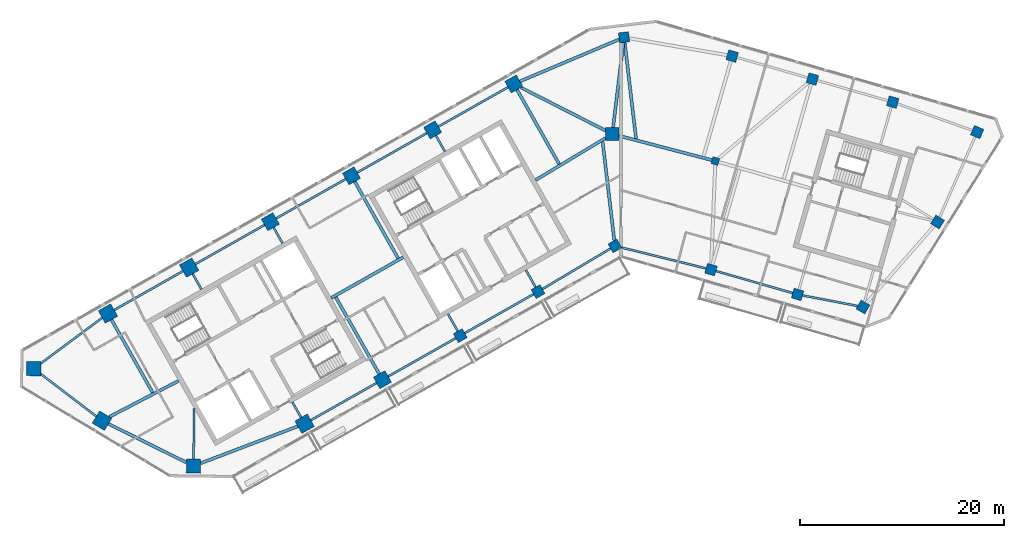
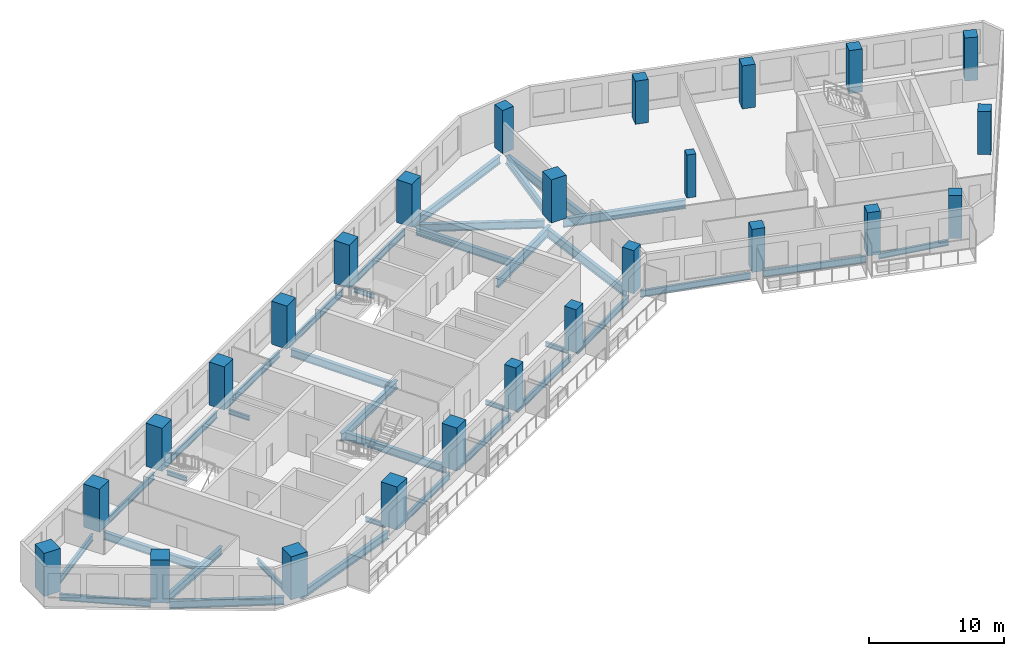
# One storey, part 1 of 12: 36 beams, 25 columns.
"""IFC4 building model written with IfcOpenShell, lengths in metres."""

import ifcopenshell
import ifcopenshell.guid

model = None  # the IFC model being written
_history = None  # IfcOwnerHistory: only IFC2X3 demands one
_inside = {}  # id of a spatial element -> (the spatial element, [elements in it])
_under = {}  # id of a project, library or spatial element -> (it, [spatial elements below it])
_declared = {}  # id of a project -> (the project, [libraries it declares])
_typed = {}  # id of a type object -> (the type object, [elements of that type])
_made_of = {}  # id of a material, layer set ... -> (it, [elements and type objects made of it])


def new_model(schema):
    """Start an empty IFC model of exactly this schema.

    Asked for "IFC4X3", IfcOpenShell would pick the latest addendum, in which some entities
    have other attributes; the version numbers below select the first issue.
    IFC2X3 requires an IfcOwnerHistory on every rooted entity: one is made here for all.
    """
    global model, _history
    if schema == "IFC4X3":
        model = ifcopenshell.file(schema_version=(4, 3, 0, 0))
    else:
        model = ifcopenshell.file(schema=schema)
    _inside.clear()
    _under.clear()
    _declared.clear()
    _typed.clear()
    _made_of.clear()
    _history = None
    if model.schema == "IFC2X3":
        org = make("IfcOrganization", Name="unknown")
        user = make(
            "IfcPersonAndOrganization",
            ThePerson=make("IfcPerson", FamilyName="unknown"),
            TheOrganization=org,
        )
        app = make(
            "IfcApplication",
            ApplicationDeveloper=org,
            Version="unknown",
            ApplicationFullName="unknown",
            ApplicationIdentifier="unknown",
        )
        _history = make(
            "IfcOwnerHistory",
            OwningUser=user,
            OwningApplication=app,
            ChangeAction="ADDED",
            CreationDate=0,
        )
    return model


def make(cls, **values):
    """One entity of the class cls with the attributes given. An attribute that is None is left unset."""
    return model.create_entity(
        cls, **{name: value for name, value in values.items() if value is not None}
    )


def rooted(cls, **values):
    """An entity with a GlobalId (a new one), such as an element, a storey or a relation."""
    return make(cls, GlobalId=ifcopenshell.guid.new(), OwnerHistory=_history, **values)


def si_unit(unit_type, name, prefix=None):
    """IfcSIUnit, for example si_unit("LENGTHUNIT", "METRE", prefix="MILLI")."""
    return make("IfcSIUnit", UnitType=unit_type, Prefix=prefix, Name=name)


def assignment(units):
    """IfcUnitAssignment: the units of a project."""
    return None if units is None else make("IfcUnitAssignment", Units=units)


def point(xyz):
    """IfcCartesianPoint."""
    return None if xyz is None else make("IfcCartesianPoint", Coordinates=xyz)


def direction(xyz):
    """IfcDirection."""
    return None if xyz is None else make("IfcDirection", DirectionRatios=xyz)


def frame(location, z_axis=None, x_axis=None):
    """IfcAxis2Placement3D, a coordinate frame: its origin and axes. An axis left out is left unset."""
    return make(
        "IfcAxis2Placement3D",
        Location=point(location),
        Axis=direction(z_axis),
        RefDirection=direction(x_axis),
    )


def frame_2d(location, x_axis=None):
    """IfcAxis2Placement2D, a coordinate frame in the plane: its origin and x axis."""
    return make(
        "IfcAxis2Placement2D", Location=point(location), RefDirection=direction(x_axis)
    )


def origin():
    """The frame at (0, 0, 0) with its axes left unset."""
    return frame((0.0, 0.0, 0.0))


def origin_2d():
    """The frame at (0, 0) in the plane with its x axis left unset."""
    return frame_2d((0.0, 0.0))


def place(relative_to, where):
    """IfcLocalPlacement: puts the frame where relative to a parent placement (None: the world)."""
    return make(
        "IfcLocalPlacement", PlacementRelTo=relative_to, RelativePlacement=where
    )


def context(
    kind, dimensions, precision=None, world=None, true_north=None, identifier=None
):
    """IfcGeometricRepresentationContext, for example the 3D "Model" context."""
    return make(
        "IfcGeometricRepresentationContext",
        ContextIdentifier=identifier,
        ContextType=kind,
        CoordinateSpaceDimension=dimensions,
        Precision=precision,
        WorldCoordinateSystem=world,
        TrueNorth=true_north,
    )


def subcontext(parent, identifier, kind, view, scale=None):
    """IfcGeometricRepresentationSubContext, for example "Body" below "Model"."""
    return make(
        "IfcGeometricRepresentationSubContext",
        ContextIdentifier=identifier,
        ContextType=kind,
        ParentContext=parent,
        TargetScale=scale,
        TargetView=view,
    )


def project(units=None, contexts=None):
    """IfcProject with its units and contexts."""
    return rooted(
        "IfcProject",
        Name="project",
        RepresentationContexts=contexts,
        UnitsInContext=assignment(units),
    )


def spatial(cls, under=None, at=None, **own):
    """A site, building, storey or space (cls), placed at a placement, below another one or the project."""
    s = rooted(cls, ObjectPlacement=at, **own)
    if under is not None:
        _under.setdefault(under.id(), (under, []))[1].append(s)
    return s


def profile(cls, at=None, kind="AREA", **sizes):
    """A parametric profile (cls). Its sizes go by their IFC names, for example OverallWidth=200.0."""
    return make(cls, ProfileType=kind, Position=at, **sizes)


def rectangle(**sizes):
    """IfcRectangleProfileDef."""
    return profile("IfcRectangleProfileDef", **sizes)


def i_section(**sizes):
    """IfcIShapeProfileDef."""
    return profile("IfcIShapeProfileDef", **sizes)


def extrude(swept, where, along, depth):
    """IfcExtrudedAreaSolid: the profile swept, set in the frame where, extruded along a direction by depth."""
    return make(
        "IfcExtrudedAreaSolid",
        SweptArea=swept,
        Position=where,
        ExtrudedDirection=direction(along),
        Depth=depth,
    )


def shape(context_of_items, identifier, shape_type, items):
    """IfcShapeRepresentation: the items that make up one representation, for example the "Body"."""
    return make(
        "IfcShapeRepresentation",
        ContextOfItems=context_of_items,
        RepresentationIdentifier=identifier,
        RepresentationType=shape_type,
        Items=items,
    )


def material(Name=None, Category=None):
    """IfcMaterial."""
    return make("IfcMaterial", Name=Name, Category=Category)


def material_profile(
    of_material, cross_section, Name=None, Category=None, Priority=None
):
    """IfcMaterialProfile: a cross section and its material."""
    return make(
        "IfcMaterialProfile",
        Name=Name,
        Material=of_material,
        Profile=cross_section,
        Priority=Priority,
        Category=Category,
    )


def profile_set(profiles, Name=None, composite=None):
    """IfcMaterialProfileSet."""
    return make(
        "IfcMaterialProfileSet",
        Name=Name,
        MaterialProfiles=profiles,
        CompositeProfile=composite,
    )


def made_of(thing, what):
    """Note that an element or type object is made of a material, layer set ...; save() writes the relation."""
    if what is not None:
        _made_of.setdefault(what.id(), (what, []))[1].append(thing)
    return thing


def type_object(cls, material=None, **own):
    """A type object (cls), such as IfcWallType, which elements share."""
    return made_of(rooted(cls, **own), material)


def element(
    cls,
    number,
    at=None,
    inside=None,
    cuts=None,
    type_object=None,
    material=None,
    context=None,
    identifier="Body",
    shape_type=None,
    held_by="IfcProductDefinitionShape",
    body=None,
    shapes=None,
    **own,
):
    """One element of the class cls, such as IfcWall. Its Tag is "e" and its number.

    at: its placement. inside: the storey or other place that contains it. cuts: it is an
    opening in that element (IfcRelVoidsElement). A single representation is given by context,
    identifier, shape_type and body (its items); several are given by shapes. held_by: the class
    of the entity that holds the representations. save() writes the other relations.
    """
    e = rooted(cls, Tag="e%d" % number, ObjectPlacement=at, **own)
    if body is not None:
        shapes = [shape(context, identifier, shape_type, body)]
    if shapes is not None:
        e.Representation = make(held_by, Representations=shapes)
    if inside is not None:
        _inside.setdefault(inside.id(), (inside, []))[1].append(e)
    if cuts is not None:
        rooted(
            "IfcRelVoidsElement", RelatingBuildingElement=cuts, RelatedOpeningElement=e
        )
    if type_object is not None:
        _typed.setdefault(type_object.id(), (type_object, []))[1].append(e)
    return made_of(e, material)


def aggregate(whole, parts):
    """IfcRelAggregates: a whole, such as a stair, and the parts it consists of."""
    return rooted("IfcRelAggregates", RelatingObject=whole, RelatedObjects=parts)


def save(model, path):
    """Write the relations noted so far, then the file.

    IfcRelAggregates (storeys below a building ...), IfcRelContainedInSpatialStructure (elements
    in a storey), IfcRelDefinesByType, IfcRelAssociatesMaterial and IfcRelDeclares: one each for
    every whole, place, type object, material and project.
    """
    for whole, parts in _under.values():
        aggregate(whole, parts)
    for where, things in _inside.values():
        rooted(
            "IfcRelContainedInSpatialStructure",
            RelatedElements=things,
            RelatingStructure=where,
        )
    for kind, things in _typed.values():
        rooted("IfcRelDefinesByType", RelatedObjects=things, RelatingType=kind)
    for what, things in _made_of.values():
        rooted("IfcRelAssociatesMaterial", RelatedObjects=things, RelatingMaterial=what)
    for by, libraries in _declared.values():
        rooted("IfcRelDeclares", RelatingContext=by, RelatedDefinitions=libraries)
    model.write(path)


model = new_model("IFC4")

# Units and contexts
model_context = context("Model", 3, precision=1e-05, world=origin(), true_north=direction((0.0, 1.0)))
body_context = subcontext(model_context, "Body", "Model", "MODEL_VIEW")
ifc_project = project(units=[si_unit("LENGTHUNIT", "METRE"), si_unit("AREAUNIT", "SQUARE_METRE"), si_unit("VOLUMEUNIT", "CUBIC_METRE"), si_unit("PLANEANGLEUNIT", "RADIAN"), si_unit("MASSUNIT", "GRAM", prefix="KILO")], contexts=[model_context])

# Site, building, storey
site_placement = place(None, origin())
site = spatial("IfcSite", under=ifc_project, at=site_placement, CompositionType="ELEMENT")
building_placement = place(site_placement, origin())
building = spatial("IfcBuilding", under=site, at=building_placement, Name="Binnacle Exchange Tower", CompositionType="ELEMENT")
storey_placement = place(building_placement, frame((0.0, 0.0, 242.60009765625)))
storey = spatial("IfcBuildingStorey", under=building, at=storey_placement, Name="L53", CompositionType="ELEMENT", Elevation=242.60009765625)

# Columns
ifc_material_1 = material(Name="Concrete C60/75", Category="concrete")
ifc_material_profile_1 = material_profile(ifc_material_1, rectangle(XDim=0.699951171875, YDim=0.699951171875, at=origin_2d()), Name="Column 700x700 C60/75")
ifc_profile_set_1 = profile_set([ifc_material_profile_1], Name="Concrete C60/75")
column_type_1 = type_object("IfcColumnType", Name="Column 700x700 C60/75", PredefinedType="COLUMN", material=ifc_profile_set_1)
column_placement = place(storey_placement, frame((9.240966796875, 57.35009765625, 0.0), z_axis=(0.0, 0.0, 1.0), x_axis=(0.961261695938, -0.275637355817, 0.0)))
element("IfcColumn", 1, at=column_placement, inside=storey, type_object=column_type_1, Name="S:COL:C19:L53", PredefinedType="COLUMN", context=body_context, shape_type="SweptSolid", body=[
    extrude(rectangle(XDim=0.699951171875, YDim=0.699951171875, at=origin_2d()), origin(), (0.0, 0.0, 1.0), 3.89990234375),
])
ifc_material_profile_2 = material_profile(ifc_material_1, rectangle(XDim=1.0, YDim=1.0, at=origin_2d()), Name="Mega column 1000x1000 C60/75")
ifc_profile_set_2 = profile_set([ifc_material_profile_2], Name="Concrete C60/75")
column_type_2 = type_object("IfcColumnType", Name="Mega column 1000x1000 C60/75", PredefinedType="COLUMN", material=ifc_profile_set_2)
for number, where, z_axis, x_axis, name in (
    (2, (26.602783203125, 63.12353515625, 0.0), (0.0, 0.0, 1.0), (-0.961261695938, 0.275637355817, 0.0), "S:COL:MC52:L53"),
    (3, (18.746337890625, 65.376220703125, 0.0), (0.0, 0.0, 1.0), (-0.961261695938, 0.275637355817, 0.0), "S:COL:MC50:L53"),
    (4, (10.889892578125, 67.62890625, 0.0), (0.0, 0.0, 1.0), (-0.961261695938, 0.275637355817, 0.0), "S:COL:MC48:L53"),
    (5, (0.300048828125, 69.464111328125, 0.0), (0.0, 0.0, 1.0), (-0.993068456955, -0.117537397458, 0.0), "S:COL:MC47:L53"),
    (6, (-15.736328125, 40.257080078125, 0.0), (0.0, 0.0, 1.0), (0.87035569594, 0.492423560103, 0.0), "S:COL:MC24:L53"),
    (7, (-8.116943359375, 44.568115234375, 0.0), (0.0, 0.0, 1.0), (0.87035569594, 0.492423560103, 0.0), "S:COL:MC35:L53"),
    (8, (-0.5908203125, 49.04443359375, 0.0), (0.0, 0.0, 1.0), (0.87035569594, 0.492423560103, 0.0), "S:COL:MC46:L53"),
    (9, (8.8095703125, 46.722412109375, 0.0), (0.0, 0.0, 1.0), (0.961261695938, -0.275637355817, 0.0), "S:COL:MC49:L53"),
    (10, (17.2880859375, 44.291015625, 0.0), (0.0, 0.0, 1.0), (0.961261695938, -0.275637355817, 0.0), "S:COL:MC51:L53"),
    (11, (23.690185546875, 43.062744140625, 0.0), (0.0, 0.0, 1.0), (-0.86532642813, 0.501208711795, 0.0), "S:COL:MC53:L53"),
    (12, (30.989501953125, 51.38623046875, 0.0), (0.0, 0.0, 1.0), (0.529919264233, 0.848048096156, 0.0), "S:COL:MC55:L53"),
    (13, (34.870361328125, 60.18701171875, 0.0), (0.0, 0.0, 1.0), (-0.922814001807, 0.385245789164, 0.0), "S:COL:MC54:L53"),
):
    element("IfcColumn", number, at=place(storey_placement, frame(where, z_axis=z_axis, x_axis=x_axis)), inside=storey, type_object=column_type_2, Name=name, PredefinedType="COLUMN", context=body_context, shape_type="SweptSolid", body=[
        extrude(rectangle(XDim=1.0, YDim=1.0, at=origin_2d()), origin(), (0.0, 0.0, 1.0), 3.89990234375),
    ])
ifc_material_profile_3 = material_profile(ifc_material_1, rectangle(XDim=1.300048828125, YDim=1.300048828125, at=origin_2d()), Name="Mega column 1300x1300 C60/75")
ifc_profile_set_3 = profile_set([ifc_material_profile_3], Name="Concrete C60/75")
column_type_3 = type_object("IfcColumnType", Name="Mega column 1300x1300 C60/75", PredefinedType="COLUMN", material=ifc_profile_set_3)
for number, where, z_axis, x_axis, name in (
    (14, (-10.4951171875, 64.901611328125, 0.0), (0.0, 0.0, 1.0), (-0.87035569594, -0.492423560103, 0.0), "S:COL:MC38:L53"),
    (15, (-18.44140625, 60.406005859375, 0.0), (0.0, 0.0, 1.0), (-0.87035569594, -0.492423560103, 0.0), "S:COL:MC29:L53"),
    (16, (-26.3876953125, 55.91015625, 0.0), (0.0, 0.0, 1.0), (-0.87035569594, -0.492423560103, 0.0), "S:COL:MC21:L53"),
    (17, (-34.333740234375, 51.414306640625, 0.0), (0.0, 0.0, 1.0), (-0.87035569594, -0.492423560103, 0.0), "S:COL:MC13:L53"),
    (18, (-23.35595703125, 35.9462890625, 0.0), (0.0, 0.0, 1.0), (0.87035569594, 0.492423560103, 0.0), "S:COL:MC16:L53"),
    (19, (-0.85009765625, 60.0, 0.0), (0.0, 0.0, 1.0), (0.0, 1.0, 0.0), "S:COL:MC45:L53"),
):
    element("IfcColumn", number, at=place(storey_placement, frame(where, z_axis=z_axis, x_axis=x_axis)), inside=storey, type_object=column_type_3, Name=name, PredefinedType="COLUMN", context=body_context, shape_type="SweptSolid", body=[
        extrude(rectangle(XDim=1.300048828125, YDim=1.300048828125, at=origin_2d()), origin(), (0.0, 0.0, 1.0), 3.89990234375),
    ])
ifc_material_profile_4 = material_profile(ifc_material_1, rectangle(XDim=1.39990234375, YDim=1.39990234375, at=origin_2d()), Name="Mega column 1400x1400 C60/75")
ifc_profile_set_4 = profile_set([ifc_material_profile_4], Name="Concrete C60/75")
column_type_4 = type_object("IfcColumnType", Name="Mega column 1400x1400 C60/75", PredefinedType="COLUMN", material=ifc_profile_set_4)
for number, where, z_axis, x_axis, name in (
    (20, (-42.280029296875, 46.918701171875, 0.0), (0.0, 0.0, 1.0), (-0.87035569594, -0.492423560103, 0.0), "S:COL:MC08:L53"),
    (21, (-50.226318359375, 42.4228515625, 0.0), (0.0, 0.0, 1.0), (-0.87035569594, -0.492423560103, 0.0), "S:COL:MC04:L53"),
    (22, (-57.492919921875, 37.02734375, 0.0), (0.0, 0.0, 1.0), (-0.013089595571, -0.999914327574, 0.0), "S:COL:MC02:L53"),
    (23, (-50.81201171875, 31.930908203125, 0.0), (0.0, 0.0, 1.0), (0.857167300702, -0.51503807491, 0.0), "S:COL:MC01:L53"),
    (24, (-41.857666015625, 27.494873046875, 0.0), (0.0, 0.0, 1.0), (0.999914327574, -0.013089595571, 0.0), "S:COL:MC03:L53"),
    (25, (-30.9755859375, 31.63525390625, 0.0), (0.0, 0.0, 1.0), (0.87035569594, 0.492423560103, 0.0), "S:COL:MC07:L53"),
):
    element("IfcColumn", number, at=place(storey_placement, frame(where, z_axis=z_axis, x_axis=x_axis)), inside=storey, type_object=column_type_4, Name=name, PredefinedType="COLUMN", context=body_context, shape_type="SweptSolid", body=[
        extrude(rectangle(XDim=1.39990234375, YDim=1.39990234375, at=origin_2d()), origin(), (0.0, 0.0, 1.0), 3.89990234375),
    ])

# Beams
ifc_material_2 = material(Name="Steel S355 (SHN355)", Category="steel")
ifc_material_profile_5 = material_profile(ifc_material_2, i_section(OverallWidth=0.199951171875, OverallDepth=0.5, WebThickness=0.010009765625, FlangeThickness=0.01611328125, FilletRadius=0.02001953125, at=origin_2d()), Name="H 500x200x10x16")
ifc_profile_set_5 = profile_set([ifc_material_profile_5], Name="Steel S355 (SHN355)")
beam_type_1 = type_object("IfcBeamType", Name="Edge girder H 500x200x10x16 Steel S355 (SHN355)", PredefinedType="SPANDREL", material=ifc_profile_set_5)
beam_1_placement = place(storey_placement, frame((17.78125, 44.196533203125, -0.530029296875), z_axis=(0.98208728148, -0.188426568073, 0.0), x_axis=(0.188426568073, 0.98208728148, 0.0)))
element("IfcBeam", 26, at=beam_1_placement, inside=storey, type_object=beam_type_1, Name="S:BM:edge:L53:028", PredefinedType="SPANDREL", context=body_context, shape_type="SweptSolid", body=[
    extrude(i_section(OverallWidth=0.199951171875, OverallDepth=0.5, WebThickness=0.010009765625, FlangeThickness=0.01611328125, FilletRadius=0.02001953125, at=origin_2d()), origin(), (0.0, 0.0, 1.0), 5.4873046875),
])
ifc_material_profile_6 = material_profile(ifc_material_2, i_section(OverallWidth=0.199951171875, OverallDepth=0.60009765625, WebThickness=0.010986328125, FlangeThickness=0.01708984375, FilletRadius=0.02197265625, at=origin_2d()), Name="H 600x200x11x17")
ifc_profile_set_6 = profile_set([ifc_material_profile_6], Name="Steel S355 (SHN355)")
beam_type_2 = type_object("IfcBeamType", Name="Edge girder H 600x200x11x17 Steel S355 (SHN355)", PredefinedType="SPANDREL", material=ifc_profile_set_6)
beam_2_placement = place(storey_placement, frame((-56.7998046875, 36.49853515625, -0.580078125), z_axis=(0.795081038606, -0.606503208606, 0.0), x_axis=(0.606503208606, 0.795081038606, 0.0)))
element("IfcBeam", 27, at=beam_2_placement, inside=storey, type_object=beam_type_2, Name="S:BM:edge:L53:011", PredefinedType="SPANDREL", context=body_context, shape_type="SweptSolid", body=[
    extrude(i_section(OverallWidth=0.199951171875, OverallDepth=0.60009765625, WebThickness=0.010986328125, FlangeThickness=0.01708984375, FilletRadius=0.02197265625, at=origin_2d()), origin(), (0.0, 0.0, 1.0), 6.82666015625),
])
ifc_material_profile_7 = material_profile(ifc_material_2, i_section(OverallWidth=0.200927734375, OverallDepth=0.60595703125, WebThickness=0.011962890625, FlangeThickness=0.02001953125, FilletRadius=0.02197265625, at=origin_2d()), Name="H 606x201x12x20")
ifc_profile_set_7 = profile_set([ifc_material_profile_7], Name="Steel S355 (SHN355)")
beam_type_3 = type_object("IfcBeamType", Name="Edge girder H 606x201x12x20 Steel S355 (SHN355)", PredefinedType="SPANDREL", material=ifc_profile_set_7)
beam_3_placement = place(storey_placement, frame((-50.79248046875, 42.00244140625, -0.5830078125), z_axis=(-0.802886959261, -0.596131303194, 0.0), x_axis=(0.596131303194, -0.802886959261, 0.0)))
element("IfcBeam", 28, at=beam_3_placement, inside=storey, type_object=beam_type_3, Name="S:BM:edge:L53:012", PredefinedType="SPANDREL", context=body_context, shape_type="SweptSolid", body=[
    extrude(i_section(OverallWidth=0.200927734375, OverallDepth=0.60595703125, WebThickness=0.011962890625, FlangeThickness=0.02001953125, FilletRadius=0.02197265625, at=origin_2d()), origin(), (0.0, 0.0, 1.0), 7.465087890625),
])
beam_4_placement = place(storey_placement, frame((-30.3662109375, 31.97998046875, -0.5830078125), z_axis=(0.87035151347, 0.49243095252, 0.0), x_axis=(-0.49243095252, 0.87035151347, 0.0)))
element("IfcBeam", 29, at=beam_4_placement, inside=storey, type_object=beam_type_3, Name="S:BM:edge:L53:017", PredefinedType="SPANDREL", context=body_context, shape_type="SweptSolid", body=[
    extrude(i_section(OverallWidth=0.200927734375, OverallDepth=0.60595703125, WebThickness=0.011962890625, FlangeThickness=0.02001953125, FilletRadius=0.02197265625, at=origin_2d()), origin(), (0.0, 0.0, 1.0), 7.404541015625),
])
beam_5_placement = place(storey_placement, frame((-22.790283203125, 36.266357421875, -0.5830078125), z_axis=(0.870357072119, 0.492421127708, 0.0), x_axis=(-0.492421127708, 0.870357072119, 0.0)))
element("IfcBeam", 30, at=beam_5_placement, inside=storey, type_object=beam_type_3, Name="S:BM:edge:L53:019", PredefinedType="SPANDREL", context=body_context, shape_type="SweptSolid", body=[
    extrude(i_section(OverallWidth=0.200927734375, OverallDepth=0.60595703125, WebThickness=0.011962890625, FlangeThickness=0.02001953125, FilletRadius=0.02197265625, at=origin_2d()), origin(), (0.0, 0.0, 1.0), 7.6044921875),
])
beam_6_placement = place(storey_placement, frame((-15.30126953125, 40.50341796875, -0.5830078125), z_axis=(0.870352841483, 0.492428605304, 0.0), x_axis=(-0.492428605304, 0.870352841483, 0.0)))
element("IfcBeam", 31, at=beam_6_placement, inside=storey, type_object=beam_type_3, Name="S:BM:edge:L53:021", PredefinedType="SPANDREL", context=body_context, shape_type="SweptSolid", body=[
    extrude(i_section(OverallWidth=0.200927734375, OverallDepth=0.60595703125, WebThickness=0.011962890625, FlangeThickness=0.02001953125, FilletRadius=0.02197265625, at=origin_2d()), origin(), (0.0, 0.0, 1.0), 7.754638671875),
])
beam_7_placement = place(storey_placement, frame((-7.68701171875, 44.82373046875, -0.5830078125), z_axis=(0.859458521045, 0.51120548765, 0.0), x_axis=(-0.51120548765, 0.859458521045, 0.0)))
element("IfcBeam", 32, at=beam_7_placement, inside=storey, type_object=beam_type_3, Name="S:BM:edge:L53:023", PredefinedType="SPANDREL", context=body_context, shape_type="SweptSolid", body=[
    extrude(i_section(OverallWidth=0.200927734375, OverallDepth=0.60595703125, WebThickness=0.011962890625, FlangeThickness=0.02001953125, FilletRadius=0.02197265625, at=origin_2d()), origin(), (0.0, 0.0, 1.0), 7.75634765625),
])
beam_8_placement = place(storey_placement, frame((9.2900390625, 46.58447265625, -0.5830078125), z_axis=(0.961265533153, -0.275623973506, 0.0), x_axis=(0.275623973506, 0.961265533153, 0.0)))
element("IfcBeam", 33, at=beam_8_placement, inside=storey, type_object=beam_type_3, Name="S:BM:edge:L53:026", PredefinedType="SPANDREL", context=body_context, shape_type="SweptSolid", body=[
    extrude(i_section(OverallWidth=0.200927734375, OverallDepth=0.60595703125, WebThickness=0.011962890625, FlangeThickness=0.02001953125, FilletRadius=0.02197265625, at=origin_2d()), origin(), (0.0, 0.0, 1.0), 7.820556640625),
])
ifc_material_profile_8 = material_profile(ifc_material_2, i_section(OverallWidth=0.201904296875, OverallDepth=0.612060546875, WebThickness=0.012939453125, FlangeThickness=0.02294921875, FilletRadius=0.02197265625, at=origin_2d()), Name="H 612x202x13x23")
ifc_profile_set_8 = profile_set([ifc_material_profile_8], Name="Steel S355 (SHN355)")
beam_type_4 = type_object("IfcBeamType", Name="Edge girder H 612x202x13x23 Steel S355 (SHN355)", PredefinedType="SPANDREL", material=ifc_profile_set_8)
beam_9_placement = place(storey_placement, frame((-42.88916015625, 46.573974609375, -0.586181640625), z_axis=(-0.870355702011, -0.492423549372, 0.0), x_axis=(0.492423549372, -0.870355702011, 0.0)))
element("IfcBeam", 34, at=beam_9_placement, inside=storey, type_object=beam_type_4, Name="S:BM:edge:L53:014", PredefinedType="SPANDREL", context=body_context, shape_type="SweptSolid", body=[
    extrude(i_section(OverallWidth=0.201904296875, OverallDepth=0.612060546875, WebThickness=0.012939453125, FlangeThickness=0.02294921875, FilletRadius=0.02197265625, at=origin_2d()), origin(), (0.0, 0.0, 1.0), 7.72998046875),
])
beam_10_placement = place(storey_placement, frame((-34.8994140625, 51.09423828125, -0.586181640625), z_axis=(-0.870365218126, -0.492406729317, 0.0), x_axis=(0.492406729317, -0.870365218126, 0.0)))
element("IfcBeam", 35, at=beam_10_placement, inside=storey, type_object=beam_type_4, Name="S:BM:edge:L53:016", PredefinedType="SPANDREL", context=body_context, shape_type="SweptSolid", body=[
    extrude(i_section(OverallWidth=0.201904296875, OverallDepth=0.612060546875, WebThickness=0.012939453125, FlangeThickness=0.02294921875, FilletRadius=0.02197265625, at=origin_2d()), origin(), (0.0, 0.0, 1.0), 7.77978515625),
])
beam_11_placement = place(storey_placement, frame((-26.953369140625, 55.590087890625, -0.586181640625), z_axis=(-0.870361249296, -0.492413744452, 0.0), x_axis=(0.492413744452, -0.870361249296, 0.0)))
element("IfcBeam", 36, at=beam_11_placement, inside=storey, type_object=beam_type_4, Name="S:BM:edge:L53:018", PredefinedType="SPANDREL", context=body_context, shape_type="SweptSolid", body=[
    extrude(i_section(OverallWidth=0.201904296875, OverallDepth=0.612060546875, WebThickness=0.012939453125, FlangeThickness=0.02294921875, FilletRadius=0.02197265625, at=origin_2d()), origin(), (0.0, 0.0, 1.0), 7.829833984375),
])
beam_12_placement = place(storey_placement, frame((-19.007080078125, 60.0859375, -0.586181640625), z_axis=(-0.870355446453, -0.492424001069, 0.0), x_axis=(0.492424001069, -0.870355446453, 0.0)))
element("IfcBeam", 37, at=beam_12_placement, inside=storey, type_object=beam_type_4, Name="S:BM:edge:L53:020", PredefinedType="SPANDREL", context=body_context, shape_type="SweptSolid", body=[
    extrude(i_section(OverallWidth=0.201904296875, OverallDepth=0.612060546875, WebThickness=0.012939453125, FlangeThickness=0.02294921875, FilletRadius=0.02197265625, at=origin_2d()), origin(), (0.0, 0.0, 1.0), 7.830078125),
])
beam_13_placement = place(storey_placement, frame((-11.060791015625, 64.58154296875, -0.586181640625), z_axis=(-0.870361249296, -0.492413744452, 0.0), x_axis=(0.492413744452, -0.870361249296, 0.0)))
element("IfcBeam", 38, at=beam_13_placement, inside=storey, type_object=beam_type_4, Name="S:BM:edge:L53:022", PredefinedType="SPANDREL", context=body_context, shape_type="SweptSolid", body=[
    extrude(i_section(OverallWidth=0.201904296875, OverallDepth=0.612060546875, WebThickness=0.012939453125, FlangeThickness=0.02294921875, FilletRadius=0.02197265625, at=origin_2d()), origin(), (0.0, 0.0, 1.0), 7.829833984375),
])
beam_14_placement = place(storey_placement, frame((0.076904296875, 48.87939453125, -0.586181640625), z_axis=(0.970819987475, -0.239809407487, 0.0), x_axis=(0.239809407487, 0.970819987475, 0.0)))
element("IfcBeam", 39, at=beam_14_placement, inside=storey, type_object=beam_type_4, Name="S:BM:edge:L53:025", PredefinedType="SPANDREL", context=body_context, shape_type="SweptSolid", body=[
    extrude(i_section(OverallWidth=0.201904296875, OverallDepth=0.612060546875, WebThickness=0.012939453125, FlangeThickness=0.02294921875, FilletRadius=0.02197265625, at=origin_2d()), origin(), (0.0, 0.0, 1.0), 8.49462890625),
])
ifc_material_profile_9 = material_profile(ifc_material_2, i_section(OverallWidth=0.300048828125, OverallDepth=0.699951171875, WebThickness=0.012939453125, FlangeThickness=0.02392578125, FilletRadius=0.028076171875, at=origin_2d()), Name="H 700x300x13x24")
ifc_profile_set_9 = profile_set([ifc_material_profile_9], Name="Steel S355 (SHN355)")
beam_type_5 = type_object("IfcBeamType", Name="Edge girder H 700x300x13x24 Steel S355 (SHN355)", PredefinedType="SPANDREL", material=ifc_profile_set_9)
beam_15_placement = place(storey_placement, frame((-50.1826171875, 31.619140625, -0.630126953125), z_axis=(0.896061326398, -0.443930286569, 0.0), x_axis=(0.443930286569, 0.896061326398, 0.0)))
element("IfcBeam", 40, at=beam_15_placement, inside=storey, type_object=beam_type_5, Name="S:BM:edge:L53:013", PredefinedType="SPANDREL", context=body_context, shape_type="SweptSolid", body=[
    extrude(i_section(OverallWidth=0.300048828125, OverallDepth=0.699951171875, WebThickness=0.012939453125, FlangeThickness=0.02392578125, FilletRadius=0.028076171875, at=origin_2d()), origin(), (0.0, 0.0, 1.0), 8.514404296875),
])
beam_16_placement = place(storey_placement, frame((-41.154052734375, 27.762451171875, -0.630126953125), z_axis=(0.934627442278, 0.355628379268, 0.0), x_axis=(-0.355628379268, 0.934627442278, 0.0)))
element("IfcBeam", 41, at=beam_16_placement, inside=storey, type_object=beam_type_5, Name="S:BM:edge:L53:015", PredefinedType="SPANDREL", context=body_context, shape_type="SweptSolid", body=[
    extrude(i_section(OverallWidth=0.300048828125, OverallDepth=0.699951171875, WebThickness=0.012939453125, FlangeThickness=0.02392578125, FilletRadius=0.028076171875, at=origin_2d()), origin(), (0.0, 0.0, 1.0), 10.18212890625),
])
beam_17_placement = place(storey_placement, frame((-0.179443359375, 69.261474609375, -0.630126953125), z_axis=(-0.921114178723, -0.389292524659, 0.0), x_axis=(0.389292524659, -0.921114178723, 0.0)))
element("IfcBeam", 42, at=beam_17_placement, inside=storey, type_object=beam_type_5, Name="S:BM:edge:L53:024", PredefinedType="SPANDREL", context=body_context, shape_type="SweptSolid", body=[
    extrude(i_section(OverallWidth=0.300048828125, OverallDepth=0.699951171875, WebThickness=0.012939453125, FlangeThickness=0.02392578125, FilletRadius=0.028076171875, at=origin_2d()), origin(), (0.0, 0.0, 1.0), 10.544677734375),
])
ifc_material_profile_10 = material_profile(ifc_material_2, i_section(OverallWidth=0.199951171875, OverallDepth=0.39990234375, WebThickness=0.008056640625, FlangeThickness=0.012939453125, FilletRadius=0.01611328125, at=origin_2d()), Name="H 400x200x8x13")
ifc_profile_set_10 = profile_set([ifc_material_profile_10], Name="Steel S355 (SHN355)")
beam_type_6 = type_object("IfcBeamType", Name="Floor beam H 400x200x8x13 Steel S355 (SHN355)", PredefinedType="BEAM", material=ifc_profile_set_10)
beam_18_placement = place(storey_placement, frame((-41.935302734375, 46.3095703125, -0.47998046875), z_axis=(0.492405102951, -0.870366138236, 0.0), x_axis=(0.870366138236, 0.492405102951, 0.0)))
element("IfcBeam", 43, at=beam_18_placement, inside=storey, type_object=beam_type_6, Name="S:BM:cross:L53:035", PredefinedType="BEAM", context=body_context, shape_type="SweptSolid", body=[
    extrude(i_section(OverallWidth=0.199951171875, OverallDepth=0.39990234375, WebThickness=0.008056640625, FlangeThickness=0.012939453125, FilletRadius=0.01611328125, at=origin_2d()), origin(), (0.0, 0.0, 1.0), 1.734375),
])
beam_19_placement = place(storey_placement, frame((-34.013671875, 50.8486328125, -0.47998046875), z_axis=(0.492435931281, -0.870348696548, 0.0), x_axis=(0.870348696548, 0.492435931281, 0.0)))
element("IfcBeam", 44, at=beam_19_placement, inside=storey, type_object=beam_type_6, Name="S:BM:cross:L53:037", PredefinedType="BEAM", context=body_context, shape_type="SweptSolid", body=[
    extrude(i_section(OverallWidth=0.199951171875, OverallDepth=0.39990234375, WebThickness=0.008056640625, FlangeThickness=0.012939453125, FilletRadius=0.01611328125, at=origin_2d()), origin(), (0.0, 0.0, 1.0), 1.784423828125),
])
beam_20_placement = place(storey_placement, frame((-31.3203125, 32.244384765625, -0.47998046875), z_axis=(-0.492405102951, 0.870366138236, 0.0), x_axis=(-0.870366138236, -0.492405102951, 0.0)))
element("IfcBeam", 45, at=beam_20_placement, inside=storey, type_object=beam_type_6, Name="S:BM:cross:L53:038", PredefinedType="BEAM", context=body_context, shape_type="SweptSolid", body=[
    extrude(i_section(OverallWidth=0.199951171875, OverallDepth=0.39990234375, WebThickness=0.008056640625, FlangeThickness=0.012939453125, FilletRadius=0.01611328125, at=origin_2d()), origin(), (0.0, 0.0, 1.0), 1.734375),
])
beam_21_placement = place(storey_placement, frame((-18.12109375, 59.84033203125, -0.47998046875), z_axis=(0.49233227435, -0.870407336615, 0.0), x_axis=(0.870407336615, 0.49233227435, 0.0)))
element("IfcBeam", 46, at=beam_21_placement, inside=storey, type_object=beam_type_6, Name="S:BM:cross:L53:041", PredefinedType="BEAM", context=body_context, shape_type="SweptSolid", body=[
    extrude(i_section(OverallWidth=0.199951171875, OverallDepth=0.39990234375, WebThickness=0.008056640625, FlangeThickness=0.012939453125, FilletRadius=0.01611328125, at=origin_2d()), origin(), (0.0, 0.0, 1.0), 1.7841796875),
])
for number, where, z_axis, x_axis, name in (
    (47, (-15.982666015625, 40.6923828125, -0.47998046875), (-0.492369148916, 0.870386478063, 0.0), (-0.870386478063, -0.492369148916, 0.0), "S:BM:cross:L53:042"),
    (48, (-8.363037109375, 45.00341796875, -0.47998046875), (-0.492518856771, 0.870301772792, 0.0), (-0.870301772792, -0.492518856771, 0.0), "S:BM:cross:L53:044"),
):
    element("IfcBeam", number, at=place(storey_placement, frame(where, z_axis=z_axis, x_axis=x_axis)), inside=storey, type_object=beam_type_6, Name=name, PredefinedType="BEAM", context=body_context, shape_type="SweptSolid", body=[
        extrude(i_section(OverallWidth=0.199951171875, OverallDepth=0.39990234375, WebThickness=0.008056640625, FlangeThickness=0.012939453125, FilletRadius=0.01611328125, at=origin_2d()), origin(), (0.0, 0.0, 1.0), 1.934326171875),
    ])
ifc_material_profile_11 = material_profile(ifc_material_2, i_section(OverallWidth=0.200927734375, OverallDepth=0.506103515625, WebThickness=0.010986328125, FlangeThickness=0.01904296875, FilletRadius=0.02001953125, at=origin_2d()), Name="H 506x201x11x19")
ifc_profile_set_11 = profile_set([ifc_material_profile_11], Name="Steel S355 (SHN355)")
beam_type_7 = type_object("IfcBeamType", Name="Floor beam H 506x201x11x19 Steel S355 (SHN355)", PredefinedType="BEAM", material=ifc_profile_set_11)
beam_22_placement = place(storey_placement, frame((-41.848388671875, 28.194580078125, -0.533203125), z_axis=(0.013067878487, 0.99991461163, 0.0), x_axis=(-0.99991461163, 0.013067878487, 0.0)))
element("IfcBeam", 49, at=beam_22_placement, inside=storey, type_object=beam_type_7, Name="S:BM:cross:L53:036", PredefinedType="BEAM", context=body_context, shape_type="SweptSolid", body=[
    extrude(i_section(OverallWidth=0.200927734375, OverallDepth=0.506103515625, WebThickness=0.010986328125, FlangeThickness=0.01904296875, FilletRadius=0.02001953125, at=origin_2d()), origin(), (0.0, 0.0, 1.0), 4.950927734375),
])
ifc_material_profile_12 = material_profile(ifc_material_2, i_section(OverallWidth=0.300048828125, OverallDepth=0.699951171875, WebThickness=0.012939453125, FlangeThickness=0.02392578125, FilletRadius=0.028076171875, at=origin_2d()), Name="H 700x300x13x24")
ifc_profile_set_12 = profile_set([ifc_material_profile_12], Name="Steel S355 (SHN355)")
beam_type_8 = type_object("IfcBeamType", Name="Floor beam H 700x300x13x24 Steel S355 (SHN355)", PredefinedType="BEAM", material=ifc_profile_set_12)
beam_23_placement = place(storey_placement, frame((-49.881591796875, 41.813720703125, -0.630126953125), z_axis=(0.492430408551, -0.870351821239, 0.0), x_axis=(0.870351821239, 0.492430408551, 0.0)))
element("IfcBeam", 50, at=beam_23_placement, inside=storey, type_object=beam_type_8, Name="S:BM:cross:L53:034", PredefinedType="BEAM", context=body_context, shape_type="SweptSolid", body=[
    extrude(i_section(OverallWidth=0.300048828125, OverallDepth=0.699951171875, WebThickness=0.012939453125, FlangeThickness=0.02392578125, FilletRadius=0.028076171875, at=origin_2d()), origin(), (0.0, 0.0, 1.0), 8.19140625),
])
beam_24_placement = place(storey_placement, frame((-10.175048828125, 64.3359375, -0.630126953125), z_axis=(0.492424391334, -0.870355225652, 0.0), x_axis=(0.870355225652, 0.492424391334, 0.0)))
element("IfcBeam", 51, at=beam_24_placement, inside=storey, type_object=beam_type_8, Name="S:BM:cross:L53:043", PredefinedType="BEAM", context=body_context, shape_type="SweptSolid", body=[
    extrude(i_section(OverallWidth=0.300048828125, OverallDepth=0.699951171875, WebThickness=0.012939453125, FlangeThickness=0.02392578125, FilletRadius=0.028076171875, at=origin_2d()), origin(), (0.0, 0.0, 1.0), 8.369384765625),
])
ifc_material_profile_13 = material_profile(ifc_material_2, i_section(OverallWidth=0.302001953125, OverallDepth=0.7080078125, WebThickness=0.014892578125, FlangeThickness=0.028076171875, FilletRadius=0.028076171875, at=origin_2d()), Name="H 708x302x15x28")
ifc_profile_set_13 = profile_set([ifc_material_profile_13], Name="Steel S355 (SHN355)")
beam_type_9 = type_object("IfcBeamType", Name="Floor beam H 708x302x15x28 Steel S355 (SHN355)", PredefinedType="BEAM", material=ifc_profile_set_13)
beam_25_placement = place(storey_placement, frame((-26.0673828125, 55.344482421875, -0.634033203125), z_axis=(0.492401028839, -0.870368443131, 0.0), x_axis=(0.870368443131, 0.492401028839, 0.0)))
element("IfcBeam", 52, at=beam_25_placement, inside=storey, type_object=beam_type_9, Name="S:BM:cross:L53:039", PredefinedType="BEAM", context=body_context, shape_type="SweptSolid", body=[
    extrude(i_section(OverallWidth=0.302001953125, OverallDepth=0.7080078125, WebThickness=0.014892578125, FlangeThickness=0.028076171875, FilletRadius=0.028076171875, at=origin_2d()), origin(), (0.0, 0.0, 1.0), 8.634033203125),
])
beam_26_placement = place(storey_placement, frame((-23.676025390625, 36.511962890625, -0.634033203125), z_axis=(-0.492422448747, 0.870356324714, 0.0), x_axis=(-0.870356324714, -0.492422448747, 0.0)))
element("IfcBeam", 53, at=beam_26_placement, inside=storey, type_object=beam_type_9, Name="S:BM:cross:L53:040", PredefinedType="BEAM", context=body_context, shape_type="SweptSolid", body=[
    extrude(i_section(OverallWidth=0.302001953125, OverallDepth=0.7080078125, WebThickness=0.014892578125, FlangeThickness=0.028076171875, FilletRadius=0.028076171875, at=origin_2d()), origin(), (0.0, 0.0, 1.0), 8.63427734375),
])
ifc_material_profile_14 = material_profile(ifc_material_2, i_section(OverallWidth=0.300048828125, OverallDepth=0.800048828125, WebThickness=0.013916015625, FlangeThickness=0.02587890625, FilletRadius=0.028076171875, at=origin_2d()), Name="H 800x300x14x26")
ifc_profile_set_14 = profile_set([ifc_material_profile_14], Name="Steel S355 (SHN355)")
beam_type_10 = type_object("IfcBeamType", Name="Floor beam H 800x300x14x26 Steel S355 (SHN355)", PredefinedType="BEAM", material=ifc_profile_set_14)
beam_27_placement = place(storey_placement, frame((-0.654541015625, 49.5830078125, -0.68017578125), z_axis=(-0.117538284625, 0.993068351951, 0.0), x_axis=(-0.993068351951, -0.117538284625, 0.0)))
element("IfcBeam", 54, at=beam_27_placement, inside=storey, type_object=beam_type_10, Name="S:BM:cross:L53:045", PredefinedType="BEAM", context=body_context, shape_type="SweptSolid", body=[
    extrude(i_section(OverallWidth=0.300048828125, OverallDepth=0.800048828125, WebThickness=0.013916015625, FlangeThickness=0.02587890625, FilletRadius=0.028076171875, at=origin_2d()), origin(), (0.0, 0.0, 1.0), 9.754150390625),
])
beam_28_placement = place(storey_placement, frame((0.35888671875, 68.9677734375, -0.68017578125), z_axis=(0.117547988923, -0.993067203315, 0.0), x_axis=(0.993067203315, 0.117547988923, 0.0)))
element("IfcBeam", 55, at=beam_28_placement, inside=storey, type_object=beam_type_10, Name="S:BM:cross:L53:046", PredefinedType="BEAM", context=body_context, shape_type="SweptSolid", body=[
    extrude(i_section(OverallWidth=0.300048828125, OverallDepth=0.800048828125, WebThickness=0.013916015625, FlangeThickness=0.02587890625, FilletRadius=0.028076171875, at=origin_2d()), origin(), (0.0, 0.0, 1.0), 9.5),
])
ifc_material_profile_15 = material_profile(ifc_material_2, i_section(OverallWidth=0.300048828125, OverallDepth=0.699951171875, WebThickness=0.012939453125, FlangeThickness=0.02392578125, FilletRadius=0.028076171875, at=origin_2d()), Name="H 700x300x13x24")
ifc_profile_set_15 = profile_set([ifc_material_profile_15], Name="Steel S355 (SHN355)")
beam_type_11 = type_object("IfcBeamType", Name="Spine girder H 700x300x13x24 Steel S355 (SHN355)", PredefinedType="BEAM", material=ifc_profile_set_15)
beam_29_placement = place(storey_placement, frame((-50.083740234375, 32.31005859375, -0.630126953125), z_axis=(0.886975994229, 0.46181553207, 0.0), x_axis=(-0.46181553207, 0.886975994229, 0.0)))
element("IfcBeam", 56, at=beam_29_placement, inside=storey, type_object=beam_type_11, Name="S:BM:spine:L53:001", PredefinedType="BEAM", context=body_context, shape_type="SweptSolid", body=[
    extrude(i_section(OverallWidth=0.300048828125, OverallDepth=0.699951171875, WebThickness=0.012939453125, FlangeThickness=0.02392578125, FilletRadius=0.028076171875, at=origin_2d()), origin(), (0.0, 0.0, 1.0), 7.6396484375),
])
beam_30_placement = place(storey_placement, frame((-1.5, 60.330322265625, -0.630126953125), z_axis=(-0.891481538846, 0.453057022786, 0.0), x_axis=(-0.453057022786, -0.891481538846, 0.0)))
element("IfcBeam", 57, at=beam_30_placement, inside=storey, type_object=beam_type_11, Name="S:BM:spine:L53:004", PredefinedType="BEAM", context=body_context, shape_type="SweptSolid", body=[
    extrude(i_section(OverallWidth=0.300048828125, OverallDepth=0.699951171875, WebThickness=0.012939453125, FlangeThickness=0.02392578125, FilletRadius=0.028076171875, at=origin_2d()), origin(), (0.0, 0.0, 1.0), 9.31005859375),
])
beam_31_placement = place(storey_placement, frame((-0.77099609375, 60.64990234375, -0.630126953125), z_axis=(0.120632086068, 0.992697285083, 0.0), x_axis=(-0.992697285083, 0.120632086068, 0.0)))
element("IfcBeam", 58, at=beam_31_placement, inside=storey, type_object=beam_type_11, Name="S:BM:spine:L53:005", PredefinedType="BEAM", context=body_context, shape_type="SweptSolid", body=[
    extrude(i_section(OverallWidth=0.300048828125, OverallDepth=0.699951171875, WebThickness=0.012939453125, FlangeThickness=0.02392578125, FilletRadius=0.028076171875, at=origin_2d()), origin(), (0.0, 0.0, 1.0), 8.364501953125),
])
ifc_material_profile_16 = material_profile(ifc_material_2, i_section(OverallWidth=0.302001953125, OverallDepth=0.7080078125, WebThickness=0.014892578125, FlangeThickness=0.028076171875, FilletRadius=0.028076171875, at=origin_2d()), Name="H 708x302x15x28")
ifc_profile_set_16 = profile_set([ifc_material_profile_16], Name="Steel S355 (SHN355)")
beam_type_12 = type_object("IfcBeamType", Name="Spine girder H 708x302x15x28 Steel S355 (SHN355)", PredefinedType="BEAM", material=ifc_profile_set_16)
beam_32_placement = place(storey_placement, frame((-28.365478515625, 43.951416015625, -0.634033203125), z_axis=(0.870350319004, 0.492433063684, 0.0), x_axis=(-0.492433063684, 0.870350319004, 0.0)))
element("IfcBeam", 59, at=beam_32_placement, inside=storey, type_object=beam_type_12, Name="S:BM:spine:L53:002", PredefinedType="BEAM", context=body_context, shape_type="SweptSolid", body=[
    extrude(i_section(OverallWidth=0.302001953125, OverallDepth=0.7080078125, WebThickness=0.014892578125, FlangeThickness=0.028076171875, FilletRadius=0.028076171875, at=origin_2d()), origin(), (0.0, 0.0, 1.0), 8.0908203125),
])
ifc_material_profile_17 = material_profile(ifc_material_2, i_section(OverallWidth=0.300048828125, OverallDepth=0.800048828125, WebThickness=0.013916015625, FlangeThickness=0.02587890625, FilletRadius=0.028076171875, at=origin_2d()), Name="H 800x300x14x26")
ifc_profile_set_17 = profile_set([ifc_material_profile_17], Name="Steel S355 (SHN355)")
beam_type_13 = type_object("IfcBeamType", Name="Spine girder H 800x300x14x26 Steel S355 (SHN355)", PredefinedType="BEAM", material=ifc_profile_set_17)
beam_33_placement = place(storey_placement, frame((-8.36328125, 55.489990234375, -0.68017578125), z_axis=(0.857387955422, 0.514670665472, 0.0), x_axis=(-0.514670665472, 0.857387955422, 0.0)))
element("IfcBeam", 60, at=beam_33_placement, inside=storey, type_object=beam_type_13, Name="S:BM:spine:L53:003", PredefinedType="BEAM", context=body_context, shape_type="SweptSolid", body=[
    extrude(i_section(OverallWidth=0.300048828125, OverallDepth=0.800048828125, WebThickness=0.013916015625, FlangeThickness=0.02587890625, FilletRadius=0.028076171875, at=origin_2d()), origin(), (0.0, 0.0, 1.0), 8.0048828125),
])
beam_34_placement = place(storey_placement, frame((-0.199951171875, 59.829345703125, -0.68017578125), z_axis=(0.967210495765, -0.253976095098, 0.0), x_axis=(0.253976095098, 0.967210495765, 0.0)))
element("IfcBeam", 61, at=beam_34_placement, inside=storey, type_object=beam_type_13, Name="S:BM:spine:L53:006", PredefinedType="BEAM", context=body_context, shape_type="SweptSolid", body=[
    extrude(i_section(OverallWidth=0.300048828125, OverallDepth=0.800048828125, WebThickness=0.013916015625, FlangeThickness=0.02587890625, FilletRadius=0.028076171875, at=origin_2d()), origin(), (0.0, 0.0, 1.0), 9.410888671875),
])

save(model, "model.ifc")
